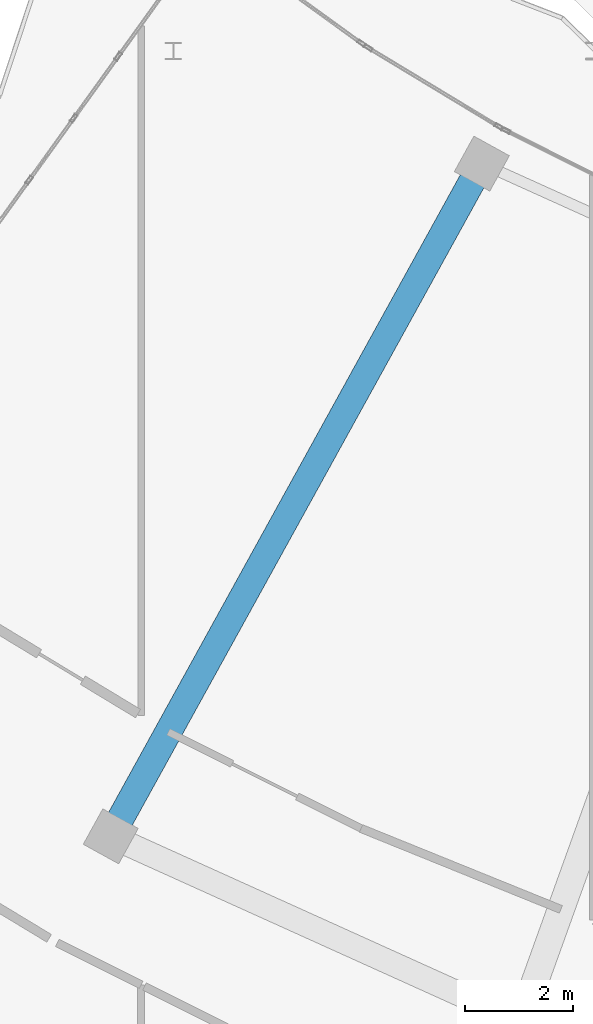
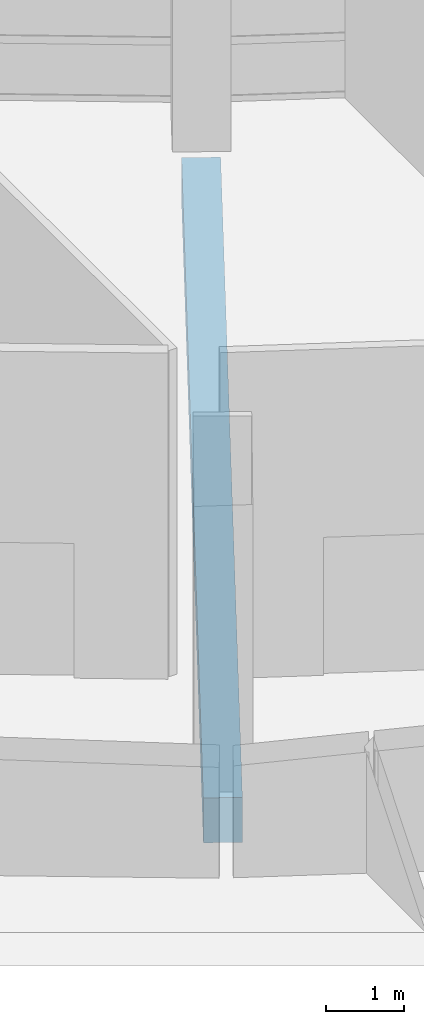
# One storey, part 23 of 158: 1 beam.
"""IFC4 building model written with IfcOpenShell, lengths in metres."""

import ifcopenshell
import ifcopenshell.guid

model = None  # the IFC model being written
_history = None  # IfcOwnerHistory: only IFC2X3 demands one
_inside = {}  # id of a spatial element -> (the spatial element, [elements in it])
_under = {}  # id of a project, library or spatial element -> (it, [spatial elements below it])
_declared = {}  # id of a project -> (the project, [libraries it declares])
_typed = {}  # id of a type object -> (the type object, [elements of that type])
_made_of = {}  # id of a material, layer set ... -> (it, [elements and type objects made of it])


def new_model(schema):
    """Start an empty IFC model of exactly this schema.

    Asked for "IFC4X3", IfcOpenShell would pick the latest addendum, in which some entities
    have other attributes; the version numbers below select the first issue.
    IFC2X3 requires an IfcOwnerHistory on every rooted entity: one is made here for all.
    """
    global model, _history
    if schema == "IFC4X3":
        model = ifcopenshell.file(schema_version=(4, 3, 0, 0))
    else:
        model = ifcopenshell.file(schema=schema)
    _inside.clear()
    _under.clear()
    _declared.clear()
    _typed.clear()
    _made_of.clear()
    _history = None
    if model.schema == "IFC2X3":
        org = make("IfcOrganization", Name="unknown")
        user = make(
            "IfcPersonAndOrganization",
            ThePerson=make("IfcPerson", FamilyName="unknown"),
            TheOrganization=org,
        )
        app = make(
            "IfcApplication",
            ApplicationDeveloper=org,
            Version="unknown",
            ApplicationFullName="unknown",
            ApplicationIdentifier="unknown",
        )
        _history = make(
            "IfcOwnerHistory",
            OwningUser=user,
            OwningApplication=app,
            ChangeAction="ADDED",
            CreationDate=0,
        )
    return model


def make(cls, **values):
    """One entity of the class cls with the attributes given. An attribute that is None is left unset."""
    return model.create_entity(
        cls, **{name: value for name, value in values.items() if value is not None}
    )


def rooted(cls, **values):
    """An entity with a GlobalId (a new one), such as an element, a storey or a relation."""
    return make(cls, GlobalId=ifcopenshell.guid.new(), OwnerHistory=_history, **values)


def si_unit(unit_type, name, prefix=None):
    """IfcSIUnit, for example si_unit("LENGTHUNIT", "METRE", prefix="MILLI")."""
    return make("IfcSIUnit", UnitType=unit_type, Prefix=prefix, Name=name)


def assignment(units):
    """IfcUnitAssignment: the units of a project."""
    return None if units is None else make("IfcUnitAssignment", Units=units)


def point(xyz):
    """IfcCartesianPoint."""
    return None if xyz is None else make("IfcCartesianPoint", Coordinates=xyz)


def direction(xyz):
    """IfcDirection."""
    return None if xyz is None else make("IfcDirection", DirectionRatios=xyz)


def frame(location, z_axis=None, x_axis=None):
    """IfcAxis2Placement3D, a coordinate frame: its origin and axes. An axis left out is left unset."""
    return make(
        "IfcAxis2Placement3D",
        Location=point(location),
        Axis=direction(z_axis),
        RefDirection=direction(x_axis),
    )


def frame_2d(location, x_axis=None):
    """IfcAxis2Placement2D, a coordinate frame in the plane: its origin and x axis."""
    return make(
        "IfcAxis2Placement2D", Location=point(location), RefDirection=direction(x_axis)
    )


def origin():
    """The frame at (0, 0, 0) with its axes left unset."""
    return frame((0.0, 0.0, 0.0))


def origin_2d():
    """The frame at (0, 0) in the plane with its x axis left unset."""
    return frame_2d((0.0, 0.0))


def place(relative_to, where):
    """IfcLocalPlacement: puts the frame where relative to a parent placement (None: the world)."""
    return make(
        "IfcLocalPlacement", PlacementRelTo=relative_to, RelativePlacement=where
    )


def context(
    kind, dimensions, precision=None, world=None, true_north=None, identifier=None
):
    """IfcGeometricRepresentationContext, for example the 3D "Model" context."""
    return make(
        "IfcGeometricRepresentationContext",
        ContextIdentifier=identifier,
        ContextType=kind,
        CoordinateSpaceDimension=dimensions,
        Precision=precision,
        WorldCoordinateSystem=world,
        TrueNorth=true_north,
    )


def subcontext(parent, identifier, kind, view, scale=None):
    """IfcGeometricRepresentationSubContext, for example "Body" below "Model"."""
    return make(
        "IfcGeometricRepresentationSubContext",
        ContextIdentifier=identifier,
        ContextType=kind,
        ParentContext=parent,
        TargetScale=scale,
        TargetView=view,
    )


def project(units=None, contexts=None):
    """IfcProject with its units and contexts."""
    return rooted(
        "IfcProject",
        Name="project",
        RepresentationContexts=contexts,
        UnitsInContext=assignment(units),
    )


def spatial(cls, under=None, at=None, **own):
    """A site, building, storey or space (cls), placed at a placement, below another one or the project."""
    s = rooted(cls, ObjectPlacement=at, **own)
    if under is not None:
        _under.setdefault(under.id(), (under, []))[1].append(s)
    return s


def profile(cls, at=None, kind="AREA", **sizes):
    """A parametric profile (cls). Its sizes go by their IFC names, for example OverallWidth=200.0."""
    return make(cls, ProfileType=kind, Position=at, **sizes)


def rectangle(**sizes):
    """IfcRectangleProfileDef."""
    return profile("IfcRectangleProfileDef", **sizes)


def extrude(swept, where, along, depth):
    """IfcExtrudedAreaSolid: the profile swept, set in the frame where, extruded along a direction by depth."""
    return make(
        "IfcExtrudedAreaSolid",
        SweptArea=swept,
        Position=where,
        ExtrudedDirection=direction(along),
        Depth=depth,
    )


def shape(context_of_items, identifier, shape_type, items):
    """IfcShapeRepresentation: the items that make up one representation, for example the "Body"."""
    return make(
        "IfcShapeRepresentation",
        ContextOfItems=context_of_items,
        RepresentationIdentifier=identifier,
        RepresentationType=shape_type,
        Items=items,
    )


def material(Name=None, Category=None):
    """IfcMaterial."""
    return make("IfcMaterial", Name=Name, Category=Category)


def material_profile(
    of_material, cross_section, Name=None, Category=None, Priority=None
):
    """IfcMaterialProfile: a cross section and its material."""
    return make(
        "IfcMaterialProfile",
        Name=Name,
        Material=of_material,
        Profile=cross_section,
        Priority=Priority,
        Category=Category,
    )


def profile_set(profiles, Name=None, composite=None):
    """IfcMaterialProfileSet."""
    return make(
        "IfcMaterialProfileSet",
        Name=Name,
        MaterialProfiles=profiles,
        CompositeProfile=composite,
    )


def made_of(thing, what):
    """Note that an element or type object is made of a material, layer set ...; save() writes the relation."""
    if what is not None:
        _made_of.setdefault(what.id(), (what, []))[1].append(thing)
    return thing


def type_object(cls, material=None, **own):
    """A type object (cls), such as IfcWallType, which elements share."""
    return made_of(rooted(cls, **own), material)


def element(
    cls,
    number,
    at=None,
    inside=None,
    cuts=None,
    type_object=None,
    material=None,
    context=None,
    identifier="Body",
    shape_type=None,
    held_by="IfcProductDefinitionShape",
    body=None,
    shapes=None,
    **own,
):
    """One element of the class cls, such as IfcWall. Its Tag is "e" and its number.

    at: its placement. inside: the storey or other place that contains it. cuts: it is an
    opening in that element (IfcRelVoidsElement). A single representation is given by context,
    identifier, shape_type and body (its items); several are given by shapes. held_by: the class
    of the entity that holds the representations. save() writes the other relations.
    """
    e = rooted(cls, Tag="e%d" % number, ObjectPlacement=at, **own)
    if body is not None:
        shapes = [shape(context, identifier, shape_type, body)]
    if shapes is not None:
        e.Representation = make(held_by, Representations=shapes)
    if inside is not None:
        _inside.setdefault(inside.id(), (inside, []))[1].append(e)
    if cuts is not None:
        rooted(
            "IfcRelVoidsElement", RelatingBuildingElement=cuts, RelatedOpeningElement=e
        )
    if type_object is not None:
        _typed.setdefault(type_object.id(), (type_object, []))[1].append(e)
    return made_of(e, material)


def aggregate(whole, parts):
    """IfcRelAggregates: a whole, such as a stair, and the parts it consists of."""
    return rooted("IfcRelAggregates", RelatingObject=whole, RelatedObjects=parts)


def save(model, path):
    """Write the relations noted so far, then the file.

    IfcRelAggregates (storeys below a building ...), IfcRelContainedInSpatialStructure (elements
    in a storey), IfcRelDefinesByType, IfcRelAssociatesMaterial and IfcRelDeclares: one each for
    every whole, place, type object, material and project.
    """
    for whole, parts in _under.values():
        aggregate(whole, parts)
    for where, things in _inside.values():
        rooted(
            "IfcRelContainedInSpatialStructure",
            RelatedElements=things,
            RelatingStructure=where,
        )
    for kind, things in _typed.values():
        rooted("IfcRelDefinesByType", RelatedObjects=things, RelatingType=kind)
    for what, things in _made_of.values():
        rooted("IfcRelAssociatesMaterial", RelatedObjects=things, RelatingMaterial=what)
    for by, libraries in _declared.values():
        rooted("IfcRelDeclares", RelatingContext=by, RelatedDefinitions=libraries)
    model.write(path)


model = new_model("IFC4")

# Units and contexts
model_context = context("Model", 3, precision=1e-05, world=origin(), true_north=direction((0.0, 1.0)))
body_context = subcontext(model_context, "Body", "Model", "MODEL_VIEW")
ifc_project = project(units=[si_unit("LENGTHUNIT", "METRE"), si_unit("AREAUNIT", "SQUARE_METRE"), si_unit("VOLUMEUNIT", "CUBIC_METRE"), si_unit("PLANEANGLEUNIT", "RADIAN"), si_unit("MASSUNIT", "GRAM", prefix="KILO")], contexts=[model_context])

# Site, building, storey
site_placement = place(None, origin())
site = spatial("IfcSite", under=ifc_project, at=site_placement, CompositionType="ELEMENT")
building_placement = place(site_placement, origin())
building = spatial("IfcBuilding", under=site, at=building_placement, Name="Selatvlak General Hospital", CompositionType="ELEMENT")
storey_placement = place(building_placement, origin())
storey = spatial("IfcBuildingStorey", under=building, at=storey_placement, Name="L00", CompositionType="ELEMENT", Elevation=0.0)

# Beam
ifc_material = material(Name="Concrete C40/50", Category="concrete")
ifc_material_profile = material_profile(ifc_material, rectangle(XDim=0.5, YDim=0.699951171875, at=origin_2d()), Name="RC-BM 500x700")
ifc_profile_set = profile_set([ifc_material_profile], Name="Concrete C40/50")
beam_type = type_object("IfcBeamType", Name="BM-G03", PredefinedType="BEAM", material=ifc_profile_set)
beam_placement = place(storey_placement, frame((37.52099609375, 46.009033203125, -0.699951171875), z_axis=(-0.483032502688, -0.875602421963, 0.0), x_axis=(0.875602421963, -0.483032502688, 0.0)))
element("IfcBeam", 1, at=beam_placement, inside=storey, type_object=beam_type, Name="Beam BMR-L00-0336", PredefinedType="BEAM", context=body_context, shape_type="SweptSolid", body=[
    extrude(rectangle(XDim=0.5, YDim=0.699951171875, at=origin_2d()), origin(), (0.0, 0.0, 1.0), 14.249755859375),
])

save(model, "model.ifc")
